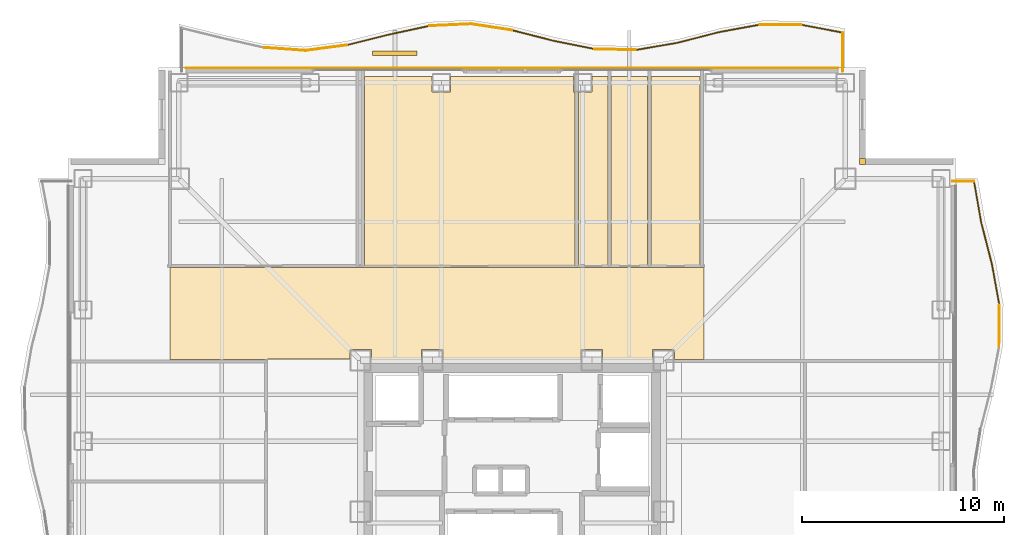
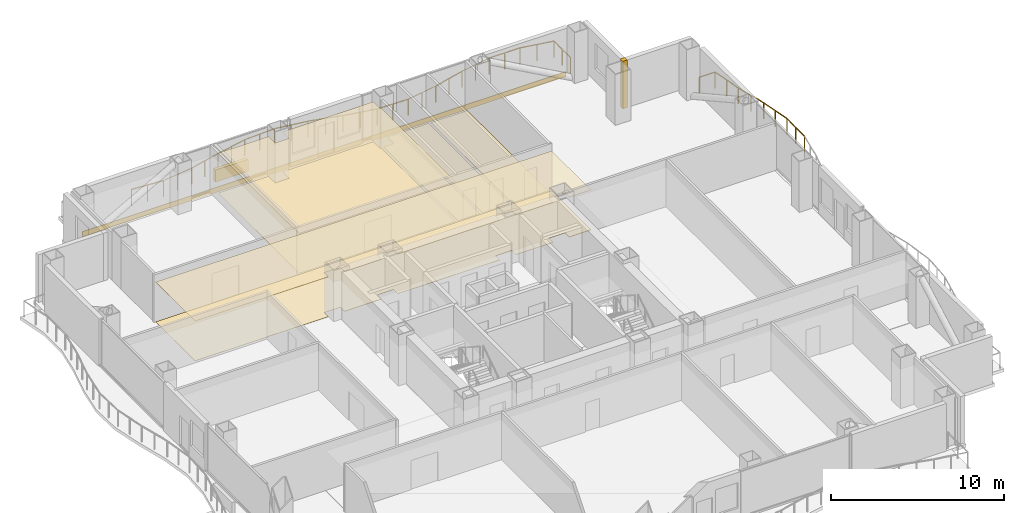
# One storey, part 18 of 18: 20 railings, 9 coverings, 1 shading device.
"""IFC4 building model written with IfcOpenShell, lengths in metres."""

from ifc_helpers import new_model, si_unit, direction, frame, frame_2d, origin, origin_2d, place, context, subcontext, project, spatial, polyline, rectangle, circle, outline, extrude, material, layer, layer_set, type_object, element, save


model = new_model("IFC4")

# Units and contexts
model_context = context("Model", 3, precision=1e-05, world=origin(), true_north=direction((0.0, 1.0)))
body_context = subcontext(model_context, "Body", "Model", "MODEL_VIEW")
ifc_project = project(units=[si_unit("LENGTHUNIT", "METRE"), si_unit("AREAUNIT", "SQUARE_METRE"), si_unit("VOLUMEUNIT", "CUBIC_METRE"), si_unit("PLANEANGLEUNIT", "RADIAN"), si_unit("MASSUNIT", "GRAM", prefix="KILO")], contexts=[model_context])

# Site, building, storey
site_placement = place(None, origin())
site = spatial("IfcSite", under=ifc_project, at=site_placement, CompositionType="ELEMENT")
building_placement = place(site_placement, origin())
building = spatial("IfcBuilding", under=site, at=building_placement, Name="Trevonay Congress Spire", CompositionType="ELEMENT")
storey_placement = place(building_placement, frame((0.0, 0.0, 122.800048828125)))
storey = spatial("IfcBuildingStorey", under=building, at=storey_placement, Name="L31", CompositionType="ELEMENT", Elevation=122.800048828125)

# Coverings
ifc_material_1 = material(Name="Acoustic Mineral Fibre Board", Category="gypsum")
ifc_layer_1 = layer(ifc_material_1, 0.02490234375, Name="Acoustic Mineral Fibre Board")
ifc_layer_set_1 = layer_set([ifc_layer_1], Name="Acoustic Mineral Fibre Board")
covering_type_1 = type_object("IfcCoveringType", Name="COV-CEIL-ACOUSTIC", PredefinedType="CEILING", material=ifc_layer_set_1)
covering_1_placement = place(storey_placement, frame((0.0, 0.0, 2.81005859375)))
element("IfcCovering", 1, at=covering_1_placement, inside=storey, type_object=covering_type_1, Name="L31 North Sky Promenade Salon acoustic suspended ceiling", PredefinedType="CEILING", context=body_context, shape_type="SweptSolid", body=[
    extrude(outline(polyline([(-16.949951171875, 12.10009765625), (9.5, 12.10009765625), (9.5, 7.550048828125), (8.034912109375, 7.550048828125), (8.034912109375, 8.034912109375), (6.965087890625, 8.034912109375), (6.965087890625, 7.550048828125), (4.485107421875, 7.550048828125), (4.485107421875, 8.034912109375), (3.4150390625, 8.034912109375), (3.4150390625, 7.550048828125), (-3.4150390625, 7.550048828125), (-3.4150390625, 8.034912109375), (-4.485107421875, 8.034912109375), (-4.485107421875, 7.550048828125), (-6.965087890625, 7.550048828125), (-6.965087890625, 8.034912109375), (-8.034912109375, 8.034912109375), (-8.034912109375, 7.56005859375), (-12.110107421875, 7.56005859375), (-12.110107421875, 7.550048828125), (-16.949951171875, 7.550048828125), (-16.949951171875, 12.10009765625)])), origin(), (0.0, 0.0, 1.0), 0.02490234375),
])
covering_2_placement = place(storey_placement, frame((0.0, 0.0, 2.81005859375)))
element("IfcCovering", 2, at=covering_2_placement, inside=storey, type_object=covering_type_1, Name="L31 International Press Club Lounge acoustic suspended ceiling", PredefinedType="CEILING", context=body_context, shape_type="SweptSolid", body=[
    extrude(outline(polyline([(3.1201171875, 12.179931640625), (-7.320068359375, 12.179931640625), (-7.320068359375, 21.550048828125), (-3.9599609375, 21.550048828125), (-3.9599609375, 20.7900390625), (-3.0400390625, 20.7900390625), (-3.0400390625, 21.550048828125), (3.0400390625, 21.550048828125), (3.0400390625, 20.7900390625), (3.1201171875, 20.7900390625), (3.1201171875, 12.179931640625)])), origin(), (0.0, 0.0, 1.0), 0.02490234375),
])
ifc_material_2 = material(Name="Polished Granite Floor Tile", Category="masonry")
ifc_layer_2 = layer(ifc_material_2, 0.02001953125, Name="Polished Granite Floor Tile")
ifc_layer_set_2 = layer_set([ifc_layer_2], Name="Polished Granite Floor Tile")
covering_type_2 = type_object("IfcCoveringType", Name="COV-FLOOR-STONE", PredefinedType="FLOORING", material=ifc_layer_set_2)
covering_3_placement = place(storey_placement, origin())
element("IfcCovering", 3, at=covering_3_placement, inside=storey, type_object=covering_type_2, Name="L31 Accessible WC floor finish", PredefinedType="FLOORING", context=body_context, shape_type="SweptSolid", body=[
    extrude(outline(polyline([(4.75, 21.550048828125), (4.75, 12.179931640625), (3.280029296875, 12.179931640625), (3.280029296875, 20.7900390625), (3.9599609375, 20.7900390625), (3.9599609375, 21.550048828125), (4.75, 21.550048828125)])), origin(), (0.0, 0.0, 1.0), 0.02001953125),
])
covering_4_placement = place(storey_placement, origin())
element("IfcCovering", 4, at=covering_4_placement, inside=storey, type_object=covering_type_2, Name="L31 Floor Supplies and Copy Room floor finish", PredefinedType="FLOORING", context=body_context, shape_type="SweptSolid", body=[
    extrude(outline(polyline([(4.909912109375, 12.179931640625), (6.719970703125, 12.179931640625), (6.719970703125, 21.550048828125), (4.909912109375, 21.550048828125), (4.909912109375, 12.179931640625)])), origin(), (0.0, 0.0, 1.0), 0.02001953125),
])
covering_5_placement = place(storey_placement, origin())
element("IfcCovering", 5, at=covering_5_placement, inside=storey, type_object=covering_type_2, Name="L31 Female Restroom WC floor finish", PredefinedType="FLOORING", context=body_context, shape_type="SweptSolid", body=[
    extrude(outline(polyline([(6.8798828125, 12.179931640625), (9.320068359375, 12.179931640625), (9.320068359375, 21.550048828125), (6.8798828125, 21.550048828125), (6.8798828125, 12.179931640625)])), origin(), (0.0, 0.0, 1.0), 0.02001953125),
])
ifc_material_3 = material(Name="Engineered Oak Flooring", Category="wood")
ifc_layer_3 = layer(ifc_material_3, 0.01806640625, Name="Engineered Oak Flooring")
ifc_layer_set_3 = layer_set([ifc_layer_3], Name="Engineered Oak Flooring")
covering_type_3 = type_object("IfcCoveringType", Name="COV-FLOOR-TIMBER", PredefinedType="FLOORING", material=ifc_layer_set_3)
covering_6_placement = place(storey_placement, origin())
element("IfcCovering", 6, at=covering_6_placement, inside=storey, type_object=covering_type_3, Name="L31 North Sky Promenade Salon floor finish", PredefinedType="FLOORING", context=body_context, shape_type="SweptSolid", body=[
    extrude(outline(polyline([(-16.949951171875, 12.10009765625), (9.5, 12.10009765625), (9.5, 7.550048828125), (8.034912109375, 7.550048828125), (8.034912109375, 8.034912109375), (6.965087890625, 8.034912109375), (6.965087890625, 7.550048828125), (4.485107421875, 7.550048828125), (4.485107421875, 8.034912109375), (3.4150390625, 8.034912109375), (3.4150390625, 7.550048828125), (-3.4150390625, 7.550048828125), (-3.4150390625, 8.034912109375), (-4.485107421875, 8.034912109375), (-4.485107421875, 7.550048828125), (-6.965087890625, 7.550048828125), (-6.965087890625, 8.034912109375), (-8.034912109375, 8.034912109375), (-8.034912109375, 7.56005859375), (-12.110107421875, 7.56005859375), (-12.110107421875, 7.550048828125), (-16.949951171875, 7.550048828125), (-16.949951171875, 12.10009765625)])), origin(), (0.0, 0.0, 1.0), 0.01806640625),
])
covering_7_placement = place(storey_placement, origin())
element("IfcCovering", 7, at=covering_7_placement, inside=storey, type_object=covering_type_3, Name="L31 International Press Club Lounge floor finish", PredefinedType="FLOORING", context=body_context, shape_type="SweptSolid", body=[
    extrude(outline(polyline([(3.1201171875, 12.179931640625), (-7.320068359375, 12.179931640625), (-7.320068359375, 21.550048828125), (-3.9599609375, 21.550048828125), (-3.9599609375, 20.7900390625), (-3.0400390625, 20.7900390625), (-3.0400390625, 21.550048828125), (3.0400390625, 21.550048828125), (3.0400390625, 20.7900390625), (3.1201171875, 20.7900390625), (3.1201171875, 12.179931640625)])), origin(), (0.0, 0.0, 1.0), 0.01806640625),
])
ifc_material_4 = material(Name="Pale Anodised Aluminium EN AW-6063-T6", Category="aluminium")
ifc_layer_4 = layer(ifc_material_4, 0.0400390625, Name="Pale Anodised Aluminium EN AW-6063-T6")
ifc_layer_set_4 = layer_set([ifc_layer_4], Name="Pale Anodised Aluminium EN AW-6063-T6")
covering_type_4 = type_object("IfcCoveringType", Name="COV-SPANDREL-PALE-METAL", PredefinedType="CLADDING", material=ifc_layer_set_4)
covering_8_placement = place(storey_placement, frame((-16.14990234375, 21.97998046875, -0.239990234375), z_axis=(0.0, 0.0, 1.0), x_axis=(1.0, 0.0, 0.0)))
element("IfcCovering", 8, at=covering_8_placement, inside=storey, type_object=covering_type_4, Name="L31 N pale-metal slab-edge spandrel cladding", PredefinedType="CLADDING", context=body_context, shape_type="SweptSolid", body=[
    extrude(rectangle(XDim=32.2998046875, YDim=0.0400390625, at=frame_2d((16.14990234375, 0.0))), origin(), (0.0, 0.0, 1.0), 0.35986328125),
])
covering_9_placement = place(storey_placement, origin())
element("IfcCovering", 9, at=covering_9_placement, inside=storey, type_object=covering_type_4, Name="L31 NE re-entrant notch corner closure trim", PredefinedType="CLADDING", context=body_context, shape_type="SweptSolid", body=[
    extrude(outline(polyline([(17.199951171875, 17.199951171875), (17.5, 17.199951171875), (17.5, 17.5), (17.199951171875, 17.5), (17.199951171875, 17.199951171875)])), origin(), (0.0, 0.0, 1.0), 3.35986328125),
])

# Railings
railing_type = type_object("IfcRailingType", Name="RAL-EXT-GUARD-115", PredefinedType="GUARDRAIL", material=ifc_material_4)
railing_1_placement = place(storey_placement, frame((16.367919921875, 21.823974609375, 0.0)))
element("IfcRailing", 10, at=railing_1_placement, inside=storey, type_object=railing_type, Name="L31 perimeter safety guard GRD-L31-WAV-N-17", PredefinedType="GUARDRAIL", context=body_context, shape_type="SweptSolid", body=[
    extrude(circle(Radius=0.02392578125, at=origin_2d()), frame((0.0, 0.0, 1.1259765625), z_axis=(0.0, 1.0, 0.0), x_axis=(-1.0, 0.0, 0.0)), (0.0, 0.0, 1.0), 1.909912109375),
    extrude(circle(Radius=0.02099609375, at=origin_2d()), origin(), (0.0, 0.0, 1.0), 1.101806640625),
    extrude(circle(Radius=0.02099609375, at=origin_2d()), frame((0.0, 0.955078125, 0.0)), (0.0, 0.0, 1.0), 1.101806640625),
    extrude(circle(Radius=0.02099609375, at=origin_2d()), frame((0.0, 1.909912109375, 0.0)), (0.0, 0.0, 1.0), 1.101806640625),
])
railing_2_placement = place(storey_placement, frame((16.367919921875, 23.73388671875, 0.0)))
element("IfcRailing", 11, at=railing_2_placement, inside=storey, type_object=railing_type, Name="L31 perimeter safety guard GRD-L31-WAV-N-18", PredefinedType="GUARDRAIL", context=body_context, shape_type="SweptSolid", body=[
    extrude(circle(Radius=0.02392578125, at=origin_2d()), frame((0.0, 0.0, 1.1259765625), z_axis=(-0.982557509579, 0.185958974963, 0.0), x_axis=(-0.185958974963, -0.982557509579, 0.0)), (0.0, 0.0, 1.0), 2.082275390625),
    extrude(circle(Radius=0.02099609375, at=origin_2d()), origin(), (0.0, 0.0, 1.0), 1.101806640625),
    extrude(circle(Radius=0.02099609375, at=origin_2d()), frame((-1.02294921875, 0.193603515625, 0.0)), (0.0, 0.0, 1.0), 1.101806640625),
    extrude(circle(Radius=0.02099609375, at=origin_2d()), frame((-2.0458984375, 0.38720703125, 0.0)), (0.0, 0.0, 1.0), 1.101806640625),
])
railing_3_placement = place(storey_placement, frame((14.322021484375, 24.12109375, 0.0)))
element("IfcRailing", 12, at=railing_3_placement, inside=storey, type_object=railing_type, Name="L31 perimeter safety guard GRD-L31-WAV-N-19", PredefinedType="GUARDRAIL", context=body_context, shape_type="SweptSolid", body=[
    extrude(circle(Radius=0.02392578125, at=origin_2d()), frame((0.0, 0.0, 1.1259765625), z_axis=(-0.999992710906, 0.003818132293, 0.0), x_axis=(-0.003818132293, -0.999992710906, 0.0)), (0.0, 0.0, 1.0), 2.046142578125),
    extrude(circle(Radius=0.02099609375, at=origin_2d()), origin(), (0.0, 0.0, 1.0), 1.101806640625),
    extrude(circle(Radius=0.02099609375, at=origin_2d()), frame((-1.02294921875, 0.00390625, 0.0)), (0.0, 0.0, 1.0), 1.101806640625),
    extrude(circle(Radius=0.02099609375, at=origin_2d()), frame((-2.046142578125, 0.0078125, 0.0)), (0.0, 0.0, 1.0), 1.101806640625),
])
railing_4_placement = place(storey_placement, frame((12.27587890625, 24.12890625, 0.0)))
element("IfcRailing", 13, at=railing_4_placement, inside=storey, type_object=railing_type, Name="L31 perimeter safety guard GRD-L31-WAV-N-20", PredefinedType="GUARDRAIL", context=body_context, shape_type="SweptSolid", body=[
    extrude(circle(Radius=0.02392578125, at=origin_2d()), frame((0.0, 0.0, 1.1259765625), z_axis=(-0.983530138541, -0.180744202071, 0.0), x_axis=(0.180744202071, -0.983530138541, 0.0)), (0.0, 0.0, 1.0), 2.080078125),
    extrude(circle(Radius=0.02099609375, at=origin_2d()), origin(), (0.0, 0.0, 1.0), 1.101806640625),
    extrude(circle(Radius=0.02099609375, at=origin_2d()), frame((-1.02294921875, -0.18798828125, 0.0)), (0.0, 0.0, 1.0), 1.101806640625),
    extrude(circle(Radius=0.02099609375, at=origin_2d()), frame((-2.0458984375, -0.3759765625, 0.0)), (0.0, 0.0, 1.0), 1.101806640625),
])
railing_5_placement = place(storey_placement, frame((10.22998046875, 23.7529296875, 0.0)))
element("IfcRailing", 14, at=railing_5_placement, inside=storey, type_object=railing_type, Name="L31 perimeter safety guard GRD-L31-WAV-N-21", PredefinedType="GUARDRAIL", context=body_context, shape_type="SweptSolid", body=[
    extrude(circle(Radius=0.02392578125, at=origin_2d()), frame((0.0, 0.0, 1.1259765625), z_axis=(-0.968405272473, -0.249381691885, 0.0), x_axis=(0.249381691885, -0.968405272473, 0.0)), (0.0, 0.0, 1.0), 2.112548828125),
    extrude(circle(Radius=0.02099609375, at=origin_2d()), origin(), (0.0, 0.0, 1.0), 1.101806640625),
    extrude(circle(Radius=0.02099609375, at=origin_2d()), frame((-1.02294921875, -0.263427734375, 0.0)), (0.0, 0.0, 1.0), 1.101806640625),
    extrude(circle(Radius=0.02099609375, at=origin_2d()), frame((-2.0458984375, -0.52685546875, 0.0)), (0.0, 0.0, 1.0), 1.101806640625),
])
railing_6_placement = place(storey_placement, frame((8.18408203125, 23.22607421875, 0.0)))
element("IfcRailing", 15, at=railing_6_placement, inside=storey, type_object=railing_type, Name="L31 perimeter safety guard GRD-L31-WAV-N-22", PredefinedType="GUARDRAIL", context=body_context, shape_type="SweptSolid", body=[
    extrude(circle(Radius=0.02392578125, at=origin_2d()), frame((0.0, 0.0, 1.1259765625), z_axis=(-0.985675926196, -0.168650432904, 0.0), x_axis=(0.168650432904, -0.985675926196, 0.0)), (0.0, 0.0, 1.0), 2.075927734375),
    extrude(circle(Radius=0.02099609375, at=origin_2d()), origin(), (0.0, 0.0, 1.0), 1.101806640625),
    extrude(circle(Radius=0.02099609375, at=origin_2d()), frame((-1.02294921875, -0.175048828125, 0.0)), (0.0, 0.0, 1.0), 1.101806640625),
    extrude(circle(Radius=0.02099609375, at=origin_2d()), frame((-2.046142578125, -0.35009765625, 0.0)), (0.0, 0.0, 1.0), 1.101806640625),
])
railing_7_placement = place(storey_placement, frame((6.137939453125, 22.8759765625, 0.0)))
element("IfcRailing", 16, at=railing_7_placement, inside=storey, type_object=railing_type, Name="L31 perimeter safety guard GRD-L31-WAV-N-23", PredefinedType="GUARDRAIL", context=body_context, shape_type="SweptSolid", body=[
    extrude(circle(Radius=0.02392578125, at=origin_2d()), frame((0.0, 0.0, 1.1259765625), z_axis=(-0.999779522815, 0.020997756088, 0.0), x_axis=(-0.020997756088, -0.999779522815, 0.0)), (0.0, 0.0, 1.0), 2.04638671875),
    extrude(circle(Radius=0.02099609375, at=origin_2d()), origin(), (0.0, 0.0, 1.0), 1.101806640625),
    extrude(circle(Radius=0.02099609375, at=origin_2d()), frame((-1.02294921875, 0.021484375, 0.0)), (0.0, 0.0, 1.0), 1.101806640625),
    extrude(circle(Radius=0.02099609375, at=origin_2d()), frame((-2.0458984375, 0.04296875, 0.0)), (0.0, 0.0, 1.0), 1.101806640625),
])
railing_8_placement = place(storey_placement, frame((4.092041015625, 22.9189453125, 0.0)))
element("IfcRailing", 17, at=railing_8_placement, inside=storey, type_object=railing_type, Name="L31 perimeter safety guard GRD-L31-WAV-N-24", PredefinedType="GUARDRAIL", context=body_context, shape_type="SweptSolid", body=[
    extrude(circle(Radius=0.02392578125, at=origin_2d()), frame((0.0, 0.0, 1.1259765625), z_axis=(-0.980404814018, 0.196993402554, 0.0), x_axis=(-0.196993402554, -0.980404814018, 0.0)), (0.0, 0.0, 1.0), 2.087158203125),
    extrude(circle(Radius=0.02099609375, at=origin_2d()), origin(), (0.0, 0.0, 1.0), 1.101806640625),
    extrude(circle(Radius=0.02099609375, at=origin_2d()), frame((-1.02294921875, 0.20556640625, 0.0)), (0.0, 0.0, 1.0), 1.101806640625),
    extrude(circle(Radius=0.02099609375, at=origin_2d()), frame((-2.046142578125, 0.4111328125, 0.0)), (0.0, 0.0, 1.0), 1.101806640625),
])
railing_9_placement = place(storey_placement, frame((2.0458984375, 23.330078125, 0.0)))
element("IfcRailing", 18, at=railing_9_placement, inside=storey, type_object=railing_type, Name="L31 perimeter safety guard GRD-L31-WAV-N-25", PredefinedType="GUARDRAIL", context=body_context, shape_type="SweptSolid", body=[
    extrude(circle(Radius=0.02392578125, at=origin_2d()), frame((0.0, 0.0, 1.1259765625), z_axis=(-0.968850458203, 0.247646501369, 0.0), x_axis=(-0.247646501369, -0.968850458203, 0.0)), (0.0, 0.0, 1.0), 2.111572265625),
    extrude(circle(Radius=0.02099609375, at=origin_2d()), origin(), (0.0, 0.0, 1.0), 1.101806640625),
    extrude(circle(Radius=0.02099609375, at=origin_2d()), frame((-1.02294921875, 0.261474609375, 0.0)), (0.0, 0.0, 1.0), 1.101806640625),
    extrude(circle(Radius=0.02099609375, at=origin_2d()), frame((-2.0458984375, 0.52294921875, 0.0)), (0.0, 0.0, 1.0), 1.101806640625),
])
railing_10_placement = place(storey_placement, frame((0.0, 23.85302734375, 0.0)))
element("IfcRailing", 19, at=railing_10_placement, inside=storey, type_object=railing_type, Name="L31 perimeter safety guard GRD-L31-WAV-N-26", PredefinedType="GUARDRAIL", context=body_context, shape_type="SweptSolid", body=[
    extrude(circle(Radius=0.02392578125, at=origin_2d()), frame((0.0, 0.0, 1.1259765625), z_axis=(-0.988710208072, 0.149840329863, 0.0), x_axis=(-0.149840329863, -0.988710208072, 0.0)), (0.0, 0.0, 1.0), 2.0693359375),
    extrude(circle(Radius=0.02099609375, at=origin_2d()), origin(), (0.0, 0.0, 1.0), 1.101806640625),
    extrude(circle(Radius=0.02099609375, at=origin_2d()), frame((-1.02294921875, 0.155029296875, 0.0)), (0.0, 0.0, 1.0), 1.101806640625),
    extrude(circle(Radius=0.02099609375, at=origin_2d()), frame((-2.0458984375, 0.31005859375, 0.0)), (0.0, 0.0, 1.0), 1.101806640625),
])
railing_11_placement = place(storey_placement, frame((-2.0458984375, 24.1630859375, 0.0)))
element("IfcRailing", 20, at=railing_11_placement, inside=storey, type_object=railing_type, Name="L31 perimeter safety guard GRD-L31-WAV-N-27", PredefinedType="GUARDRAIL", context=body_context, shape_type="SweptSolid", body=[
    extrude(circle(Radius=0.02392578125, at=origin_2d()), frame((0.0, 0.0, 1.1259765625), z_axis=(-0.998924583947, -0.0463645941, 0.0), x_axis=(0.0463645941, -0.998924583947, 0.0)), (0.0, 0.0, 1.0), 2.04833984375),
    extrude(circle(Radius=0.02099609375, at=origin_2d()), origin(), (0.0, 0.0, 1.0), 1.101806640625),
    extrude(circle(Radius=0.02099609375, at=origin_2d()), frame((-1.02294921875, -0.04736328125, 0.0)), (0.0, 0.0, 1.0), 1.101806640625),
    extrude(circle(Radius=0.02099609375, at=origin_2d()), frame((-2.046142578125, -0.094970703125, 0.0)), (0.0, 0.0, 1.0), 1.101806640625),
])
railing_12_placement = place(storey_placement, frame((-4.092041015625, 24.068115234375, 0.0)))
element("IfcRailing", 21, at=railing_12_placement, inside=storey, type_object=railing_type, Name="L31 perimeter safety guard GRD-L31-WAV-N-28", PredefinedType="GUARDRAIL", context=body_context, shape_type="SweptSolid", body=[
    extrude(circle(Radius=0.02392578125, at=origin_2d()), frame((0.0, 0.0, 1.1259765625), z_axis=(-0.977435648679, -0.211233408086, 0.0), x_axis=(0.211233408086, -0.977435648679, 0.0)), (0.0, 0.0, 1.0), 2.093017578125),
    extrude(circle(Radius=0.02099609375, at=origin_2d()), origin(), (0.0, 0.0, 1.0), 1.101806640625),
    extrude(circle(Radius=0.02099609375, at=origin_2d()), frame((-1.02294921875, -0.22119140625, 0.0)), (0.0, 0.0, 1.0), 1.101806640625),
    extrude(circle(Radius=0.02099609375, at=origin_2d()), frame((-2.0458984375, -0.442138671875, 0.0)), (0.0, 0.0, 1.0), 1.101806640625),
])
railing_13_placement = place(storey_placement, frame((-6.137939453125, 23.6259765625, 0.0)))
element("IfcRailing", 22, at=railing_13_placement, inside=storey, type_object=railing_type, Name="L31 perimeter safety guard GRD-L31-WAV-N-29", PredefinedType="GUARDRAIL", context=body_context, shape_type="SweptSolid", body=[
    extrude(circle(Radius=0.02392578125, at=origin_2d()), frame((0.0, 0.0, 1.1259765625), z_axis=(-0.97009481994, -0.242726266247, 0.0), x_axis=(0.242726266247, -0.97009481994, 0.0)), (0.0, 0.0, 1.0), 2.109130859375),
    extrude(circle(Radius=0.02099609375, at=origin_2d()), origin(), (0.0, 0.0, 1.0), 1.101806640625),
    extrude(circle(Radius=0.02099609375, at=origin_2d()), frame((-1.02294921875, -0.255859375, 0.0)), (0.0, 0.0, 1.0), 1.101806640625),
    extrude(circle(Radius=0.02099609375, at=origin_2d()), frame((-2.046142578125, -0.511962890625, 0.0)), (0.0, 0.0, 1.0), 1.101806640625),
])
railing_14_placement = place(storey_placement, frame((-8.18408203125, 23.114013671875, 0.0)))
element("IfcRailing", 23, at=railing_14_placement, inside=storey, type_object=railing_type, Name="L31 perimeter safety guard GRD-L31-WAV-N-30", PredefinedType="GUARDRAIL", context=body_context, shape_type="SweptSolid", body=[
    extrude(circle(Radius=0.02392578125, at=origin_2d()), frame((0.0, 0.0, 1.1259765625), z_axis=(-0.991525028684, -0.129915809248, 0.0), x_axis=(0.129915809248, -0.991525028684, 0.0)), (0.0, 0.0, 1.0), 2.0634765625),
    extrude(circle(Radius=0.02099609375, at=origin_2d()), origin(), (0.0, 0.0, 1.0), 1.101806640625),
    extrude(circle(Radius=0.02099609375, at=origin_2d()), frame((-1.02294921875, -0.134033203125, 0.0)), (0.0, 0.0, 1.0), 1.101806640625),
    extrude(circle(Radius=0.02099609375, at=origin_2d()), frame((-2.0458984375, -0.26806640625, 0.0)), (0.0, 0.0, 1.0), 1.101806640625),
])
railing_15_placement = place(storey_placement, frame((-10.22998046875, 22.845947265625, 0.0)))
element("IfcRailing", 24, at=railing_15_placement, inside=storey, type_object=railing_type, Name="L31 perimeter safety guard GRD-L31-WAV-N-31", PredefinedType="GUARDRAIL", context=body_context, shape_type="SweptSolid", body=[
    extrude(circle(Radius=0.02392578125, at=origin_2d()), frame((0.0, 0.0, 1.1259765625), z_axis=(-0.997463531203, 0.07117937848, 0.0), x_axis=(-0.07117937848, -0.997463531203, 0.0)), (0.0, 0.0, 1.0), 2.051025390625),
    extrude(circle(Radius=0.02099609375, at=origin_2d()), origin(), (0.0, 0.0, 1.0), 1.101806640625),
    extrude(circle(Radius=0.02099609375, at=origin_2d()), frame((-1.02294921875, 0.072998046875, 0.0)), (0.0, 0.0, 1.0), 1.101806640625),
    extrude(circle(Radius=0.02099609375, at=origin_2d()), frame((-2.0458984375, 0.14599609375, 0.0)), (0.0, 0.0, 1.0), 1.101806640625),
])
railing_16_placement = place(storey_placement, frame((24.116943359375, 8.18408203125, 0.0)))
element("IfcRailing", 25, at=railing_16_placement, inside=storey, type_object=railing_type, Name="L31 perimeter safety guard GRD-L31-WAV-E-13", PredefinedType="GUARDRAIL", context=body_context, shape_type="SweptSolid", body=[
    extrude(circle(Radius=0.02392578125, at=origin_2d()), frame((0.0, 0.0, 1.1259765625), z_axis=(0.008352930544, 0.999965113667, 0.0), x_axis=(-0.999965113667, 0.008352930544, 0.0)), (0.0, 0.0, 1.0), 2.0458984375),
    extrude(circle(Radius=0.02099609375, at=origin_2d()), origin(), (0.0, 0.0, 1.0), 1.101806640625),
    extrude(circle(Radius=0.02099609375, at=origin_2d()), frame((0.008544921875, 1.02294921875, 0.0)), (0.0, 0.0, 1.0), 1.101806640625),
    extrude(circle(Radius=0.02099609375, at=origin_2d()), frame((0.01708984375, 2.0458984375, 0.0)), (0.0, 0.0, 1.0), 1.101806640625),
])
railing_17_placement = place(storey_placement, frame((24.134033203125, 10.22998046875, 0.0)))
element("IfcRailing", 26, at=railing_17_placement, inside=storey, type_object=railing_type, Name="L31 perimeter safety guard GRD-L31-WAV-E-14", PredefinedType="GUARDRAIL", context=body_context, shape_type="SweptSolid", body=[
    extrude(circle(Radius=0.02392578125, at=origin_2d()), frame((0.0, 0.0, 1.1259765625), z_axis=(-0.178017357824, 0.98402734734, 0.0), x_axis=(-0.98402734734, -0.178017357824, 0.0)), (0.0, 0.0, 1.0), 2.0791015625),
    extrude(circle(Radius=0.02099609375, at=origin_2d()), origin(), (0.0, 0.0, 1.0), 1.101806640625),
    extrude(circle(Radius=0.02099609375, at=origin_2d()), frame((-0.18505859375, 1.02294921875, 0.0)), (0.0, 0.0, 1.0), 1.101806640625),
    extrude(circle(Radius=0.02099609375, at=origin_2d()), frame((-0.3701171875, 2.0458984375, 0.0)), (0.0, 0.0, 1.0), 1.101806640625),
])
railing_18_placement = place(storey_placement, frame((23.763916015625, 12.27587890625, 0.0)))
element("IfcRailing", 27, at=railing_18_placement, inside=storey, type_object=railing_type, Name="L31 perimeter safety guard GRD-L31-WAV-E-15", PredefinedType="GUARDRAIL", context=body_context, shape_type="SweptSolid", body=[
    extrude(circle(Radius=0.02392578125, at=origin_2d()), frame((0.0, 0.0, 1.1259765625), z_axis=(-0.249353786511, 0.968412458177, 0.0), x_axis=(-0.968412458177, -0.249353786511, 0.0)), (0.0, 0.0, 1.0), 2.11279296875),
    extrude(circle(Radius=0.02099609375, at=origin_2d()), origin(), (0.0, 0.0, 1.0), 1.101806640625),
    extrude(circle(Radius=0.02099609375, at=origin_2d()), frame((-0.263427734375, 1.02294921875, 0.0)), (0.0, 0.0, 1.0), 1.101806640625),
    extrude(circle(Radius=0.02099609375, at=origin_2d()), frame((-0.52685546875, 2.046142578125, 0.0)), (0.0, 0.0, 1.0), 1.101806640625),
])
railing_19_placement = place(storey_placement, frame((23.237060546875, 14.322021484375, 0.0)))
element("IfcRailing", 28, at=railing_19_placement, inside=storey, type_object=railing_type, Name="L31 perimeter safety guard GRD-L31-WAV-E-16", PredefinedType="GUARDRAIL", context=body_context, shape_type="SweptSolid", body=[
    extrude(circle(Radius=0.02392578125, at=origin_2d()), frame((0.0, 0.0, 1.1259765625), z_axis=(-0.172437357157, 0.985020486009, 0.0), x_axis=(-0.985020486009, -0.172437357157, 0.0)), (0.0, 0.0, 1.0), 2.076904296875),
    extrude(circle(Radius=0.02099609375, at=origin_2d()), origin(), (0.0, 0.0, 1.0), 1.101806640625),
    extrude(circle(Radius=0.02099609375, at=origin_2d()), frame((-0.17919921875, 1.02294921875, 0.0)), (0.0, 0.0, 1.0), 1.101806640625),
    extrude(circle(Radius=0.02099609375, at=origin_2d()), frame((-0.358154296875, 2.0458984375, 0.0)), (0.0, 0.0, 1.0), 1.101806640625),
])
railing_20_placement = place(storey_placement, frame((22.87890625, 16.367919921875, 0.0)))
element("IfcRailing", 29, at=railing_20_placement, inside=storey, type_object=railing_type, Name="L31 perimeter safety guard GRD-L31-WAV-E-17", PredefinedType="GUARDRAIL", context=body_context, shape_type="SweptSolid", body=[
    extrude(circle(Radius=0.02392578125, at=origin_2d()), frame((0.0, 0.0, 1.1259765625), z_axis=(-1.0, 0.0, 0.0), x_axis=(0.0, -1.0, 0.0)), (0.0, 0.0, 1.0), 1.054931640625),
    extrude(circle(Radius=0.02099609375, at=origin_2d()), origin(), (0.0, 0.0, 1.0), 1.101806640625),
    extrude(circle(Radius=0.02099609375, at=origin_2d()), frame((-1.054931640625, 0.0, 0.0)), (0.0, 0.0, 1.0), 1.101806640625),
])

# Shading device
shading_device_type = type_object("IfcShadingDeviceType", Name="SHD-LOUVRE-WAVE-ALUM", PredefinedType="USERDEFINED", material=ifc_material_4)
shading_device_placement = place(storey_placement, frame((-5.800048828125, 22.719970703125, -0.01513671875), z_axis=(0.0, 0.0, 1.0), x_axis=(1.0, 0.0, 0.0)))
element("IfcShadingDevice", 30, at=shading_device_placement, inside=storey, type_object=shading_device_type, Name="L31 N sinusoidal balcony horizontal sunshade louvre", ObjectType="LOUVRE", PredefinedType="USERDEFINED", context=body_context, shape_type="SweptSolid", body=[
    extrude(rectangle(XDim=2.199951171875, YDim=0.219970703125, at=origin_2d()), origin(), (0.0, 0.0, 1.0), 0.85009765625),
])

save(model, "model.ifc")
